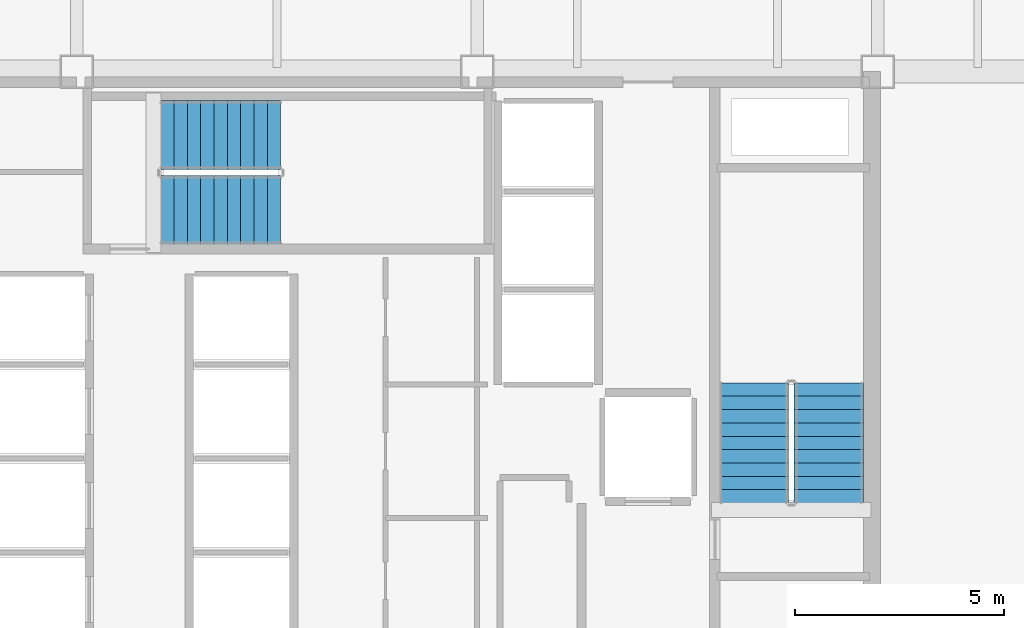
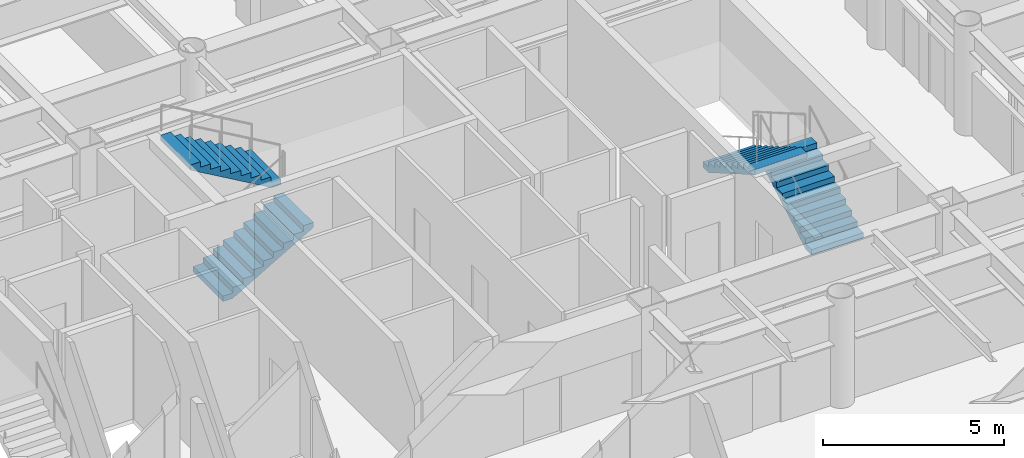
# One storey, part 25 of 26: 4 stair flights, 2 elements without a shape of their own.
"""IFC4 building model written with IfcOpenShell, lengths in metres."""

from ifc_helpers import new_model, si_unit, direction, frame, origin, place, context, subcontext, project, spatial, polyline, outline, extrude, material, type_object, element, aggregate, save


model = new_model("IFC4")

# Units and contexts
model_context = context("Model", 3, precision=1e-05, world=origin(), true_north=direction((0.0, 1.0)))
body_context = subcontext(model_context, "Body", "Model", "MODEL_VIEW")
ifc_project = project(units=[si_unit("LENGTHUNIT", "METRE"), si_unit("AREAUNIT", "SQUARE_METRE"), si_unit("VOLUMEUNIT", "CUBIC_METRE"), si_unit("PLANEANGLEUNIT", "RADIAN"), si_unit("MASSUNIT", "GRAM", prefix="KILO")], contexts=[model_context])

# Site, building, storey
site_placement = place(None, origin())
site = spatial("IfcSite", under=ifc_project, at=site_placement, CompositionType="ELEMENT")
building_placement = place(site_placement, origin())
building = spatial("IfcBuilding", under=site, at=building_placement, Name="Kallvorn Hotel Tower", CompositionType="ELEMENT")
storey_placement = place(building_placement, frame((0.0, 0.0, 55.89990234375)))
storey = spatial("IfcBuildingStorey", under=building, at=storey_placement, Name="L12", CompositionType="ELEMENT", Elevation=55.89990234375)

# Stair, stair flights
ifc_material_1 = material(Name="Precast concrete C40/50", Category="concrete")
stair_type = type_object("IfcStairType", Name="STR_CORE_DOGLEG", PredefinedType="HALF_TURN_STAIR", material=ifc_material_1)
stair_1_placement = place(storey_placement, origin())
stair_1 = element("IfcStair", 1, at=stair_1_placement, inside=storey, type_object=stair_type, Name="L12 Exit stair ST2", PredefinedType="HALF_TURN_STAIR")
ifc_material_2 = material(Name="Precast concrete C40/50", Category="concrete")
stair_flight_type = type_object("IfcStairFlightType", Name="FLT_CORE_1660", PredefinedType="STRAIGHT", material=ifc_material_2)
stair_flight_1_placement = place(storey_placement, frame((13.22998046875, -3.139892578125, 0.0), z_axis=(0.0, 0.0, 1.0), x_axis=(0.0, 1.0, 0.0)))
stair_flight_1 = element("IfcStairFlight", 2, at=stair_flight_1_placement, type_object=stair_flight_type, Name="ST2 flight 1", NumberOfRisers=10, NumberOfTreads=9, PredefinedType="STRAIGHT", RiserHeight=0.185, TreadLength=0.32, context=body_context, shape_type="SweptSolid", body=[
    extrude(outline(polyline([(0.0, 0.0), (0.0, 0.18505859375), (0.320068359375, 0.18505859375), (0.320068359375, 0.3701171875), (0.639892578125, 0.3701171875), (0.639892578125, 0.554931640625), (0.9599609375, 0.554931640625), (0.9599609375, 0.739990234375), (1.280029296875, 0.739990234375), (1.280029296875, 0.925048828125), (1.60009765625, 0.925048828125), (1.60009765625, 1.110107421875), (1.919921875, 1.110107421875), (1.919921875, 1.294921875), (2.239990234375, 1.294921875), (2.239990234375, 1.47998046875), (2.56005859375, 1.47998046875), (2.56005859375, 1.6650390625), (2.8798828125, 1.6650390625), (2.8798828125, 1.85009765625), (2.8798828125, 1.491943359375), (0.299560546875, 0.0), (0.0, 0.0)])), frame((0.0, 0.830078125, 0.0), z_axis=(0.0, -1.0, 0.0), x_axis=(1.0, 0.0, 0.0)), (0.0, 0.0, 1.0), 1.659912109375),
])
stair_flight_2_placement = place(storey_placement, frame((11.429931640625, -0.260009765625, 1.85009765625), z_axis=(0.0, 0.0, 1.0), x_axis=(0.0, -1.0, 0.0)))
stair_flight_2 = element("IfcStairFlight", 3, at=stair_flight_2_placement, type_object=stair_flight_type, Name="ST2 flight 2", NumberOfRisers=10, NumberOfTreads=9, PredefinedType="STRAIGHT", RiserHeight=0.185, TreadLength=0.32, context=body_context, shape_type="SweptSolid", body=[
    extrude(outline(polyline([(0.0, 0.0), (0.0, 0.18505859375), (0.320068359375, 0.18505859375), (0.320068359375, 0.3701171875), (0.639892578125, 0.3701171875), (0.639892578125, 0.554931640625), (0.9599609375, 0.554931640625), (0.9599609375, 0.739990234375), (1.280029296875, 0.739990234375), (1.280029296875, 0.925048828125), (1.60009765625, 0.925048828125), (1.60009765625, 1.110107421875), (1.919921875, 1.110107421875), (1.919921875, 1.294921875), (2.239990234375, 1.294921875), (2.239990234375, 1.47998046875), (2.56005859375, 1.47998046875), (2.56005859375, 1.6650390625), (2.8798828125, 1.6650390625), (2.8798828125, 1.85009765625), (2.8798828125, 1.491943359375), (0.299560546875, 0.0), (0.0, 0.0)])), frame((0.0, 0.830078125, 0.0), z_axis=(0.0, -1.0, 0.0), x_axis=(1.0, 0.0, 0.0)), (0.0, 0.0, 1.0), 1.659912109375),
])
aggregate(stair_1, [stair_flight_1, stair_flight_2])

stair_2_placement = place(storey_placement, origin())
stair_2 = element("IfcStair", 4, at=stair_2_placement, inside=storey, type_object=stair_type, Name="L12 Exit stair ST3", PredefinedType="HALF_TURN_STAIR")
stair_flight_3_placement = place(storey_placement, frame((-2.7900390625, 3.8798828125, 0.0), z_axis=(0.0, 0.0, 1.0), x_axis=(1.0, 0.0, 0.0)))
stair_flight_3 = element("IfcStairFlight", 5, at=stair_flight_3_placement, type_object=stair_flight_type, Name="ST3 flight 1", NumberOfRisers=10, NumberOfTreads=9, PredefinedType="STRAIGHT", RiserHeight=0.185, TreadLength=0.32, context=body_context, shape_type="SweptSolid", body=[
    extrude(outline(polyline([(0.0, 0.0), (0.0, 0.18505859375), (0.320068359375, 0.18505859375), (0.320068359375, 0.3701171875), (0.639892578125, 0.3701171875), (0.639892578125, 0.554931640625), (0.9599609375, 0.554931640625), (0.9599609375, 0.739990234375), (1.280029296875, 0.739990234375), (1.280029296875, 0.925048828125), (1.60009765625, 0.925048828125), (1.60009765625, 1.110107421875), (1.919921875, 1.110107421875), (1.919921875, 1.294921875), (2.239990234375, 1.294921875), (2.239990234375, 1.47998046875), (2.56005859375, 1.47998046875), (2.56005859375, 1.6650390625), (2.8798828125, 1.6650390625), (2.8798828125, 1.85009765625), (2.8798828125, 1.491943359375), (0.299560546875, 0.0), (0.0, 0.0)])), frame((0.0, 0.830078125, 0.0), z_axis=(0.0, -1.0, 0.0), x_axis=(1.0, 0.0, 0.0)), (0.0, 0.0, 1.0), 1.659912109375),
])
stair_flight_4_placement = place(storey_placement, frame((0.090087890625, 5.679931640625, 1.85009765625), z_axis=(0.0, 0.0, 1.0), x_axis=(-1.0, 0.0, 0.0)))
stair_flight_4 = element("IfcStairFlight", 6, at=stair_flight_4_placement, type_object=stair_flight_type, Name="ST3 flight 2", NumberOfRisers=10, NumberOfTreads=9, PredefinedType="STRAIGHT", RiserHeight=0.185, TreadLength=0.32, context=body_context, shape_type="SweptSolid", body=[
    extrude(outline(polyline([(0.0, 0.0), (0.0, 0.18505859375), (0.320068359375, 0.18505859375), (0.320068359375, 0.3701171875), (0.639892578125, 0.3701171875), (0.639892578125, 0.554931640625), (0.9599609375, 0.554931640625), (0.9599609375, 0.739990234375), (1.280029296875, 0.739990234375), (1.280029296875, 0.925048828125), (1.60009765625, 0.925048828125), (1.60009765625, 1.110107421875), (1.919921875, 1.110107421875), (1.919921875, 1.294921875), (2.239990234375, 1.294921875), (2.239990234375, 1.47998046875), (2.56005859375, 1.47998046875), (2.56005859375, 1.6650390625), (2.8798828125, 1.6650390625), (2.8798828125, 1.85009765625), (2.8798828125, 1.491943359375), (0.299560546875, 0.0), (0.0, 0.0)])), frame((0.0, 0.830078125, 0.0), z_axis=(0.0, -1.0, 0.0), x_axis=(1.0, 0.0, 0.0)), (0.0, 0.0, 1.0), 1.659912109375),
])
aggregate(stair_2, [stair_flight_3, stair_flight_4])

save(model, "model.ifc")
